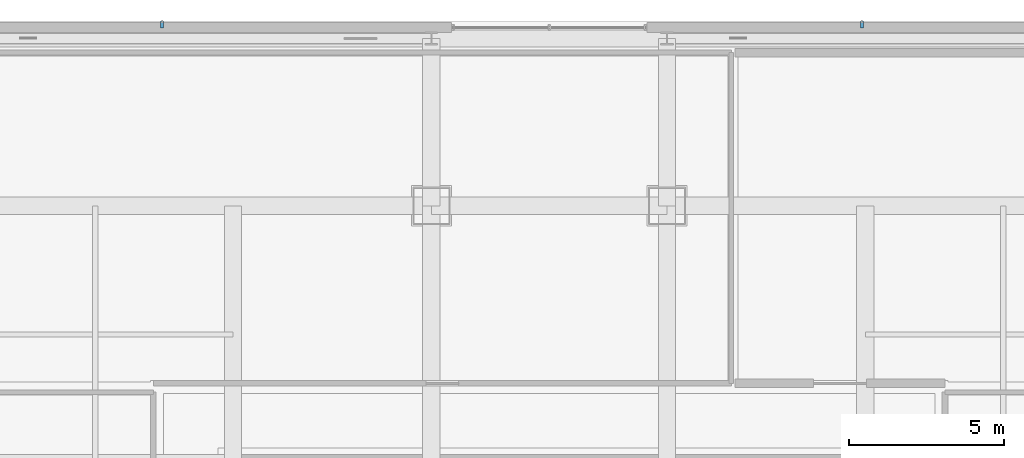
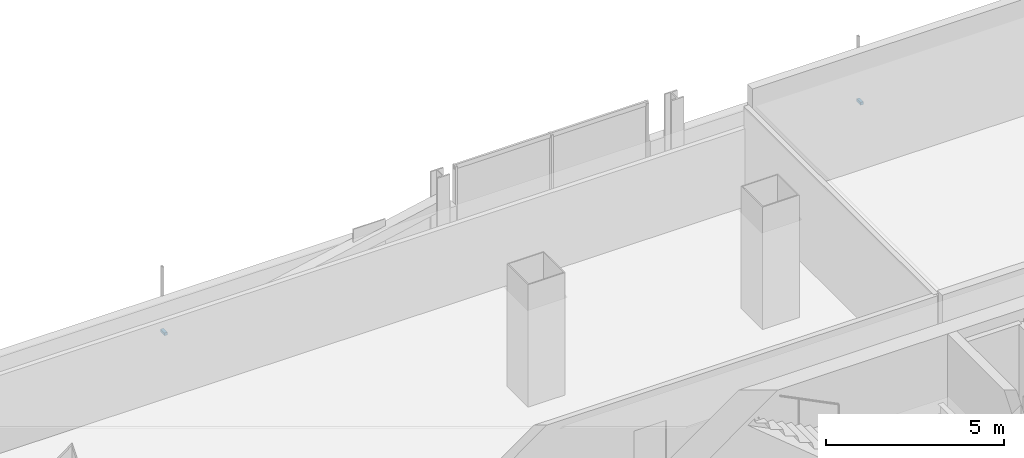
# One storey, part 17 of 31: 2 discrete accessories.
"""IFC4 building model written with IfcOpenShell, lengths in metres."""

from ifc_helpers import new_model, si_unit, direction, frame, origin, origin_2d, place, context, subcontext, project, spatial, rectangle, extrude, material, type_object, element, save


model = new_model("IFC4")

# Units and contexts
model_context = context("Model", 3, precision=1e-05, world=origin(), true_north=direction((0.0, 1.0)))
body_context = subcontext(model_context, "Body", "Model", "MODEL_VIEW")
ifc_project = project(units=[si_unit("LENGTHUNIT", "METRE"), si_unit("AREAUNIT", "SQUARE_METRE"), si_unit("VOLUMEUNIT", "CUBIC_METRE"), si_unit("PLANEANGLEUNIT", "RADIAN"), si_unit("MASSUNIT", "GRAM", prefix="KILO")], contexts=[model_context])

# Site, building, storey
site_placement = place(None, origin())
site = spatial("IfcSite", under=ifc_project, at=site_placement, CompositionType="ELEMENT")
building_placement = place(site_placement, origin())
building = spatial("IfcBuilding", under=site, at=building_placement, Name="Punatoya Terracotta Tower", CompositionType="ELEMENT")
storey_placement = place(building_placement, frame((0.0, 0.0, 283.800048828125)))
storey = spatial("IfcBuildingStorey", under=building, at=storey_placement, Name="L67", CompositionType="ELEMENT", Elevation=283.800048828125)

# Discrete accessories
ifc_material = material(Name="Steel S355", Category="steel")
discrete_accessory_type = type_object("IfcDiscreteAccessoryType", Name="ACC-BRK-220", PredefinedType="BRACKET", material=ifc_material)
for number, where, z_axis, x_axis, name in (
    (1, (10.093505859375, 23.35009765625, 1.449951171875), (0.0, 0.0, 1.0), (-1.0, 0.0, 0.0), "L67 Jali Fin Support Bracket N1"),
    (2, (-12.493408203125, 23.35009765625, 1.449951171875), (0.0, 0.0, 1.0), (-1.0, 0.0, 0.0), "L67 Jali Fin Support Bracket N2"),
):
    element("IfcDiscreteAccessory", number, at=place(storey_placement, frame(where, z_axis=z_axis, x_axis=x_axis)), inside=storey, type_object=discrete_accessory_type, Name=name, PredefinedType="BRACKET", context=body_context, shape_type="SweptSolid", body=[
        extrude(rectangle(XDim=0.090087890625, YDim=0.219970703125, at=origin_2d()), origin(), (0.0, 0.0, 1.0), 0.10009765625),
    ])

save(model, "model.ifc")
